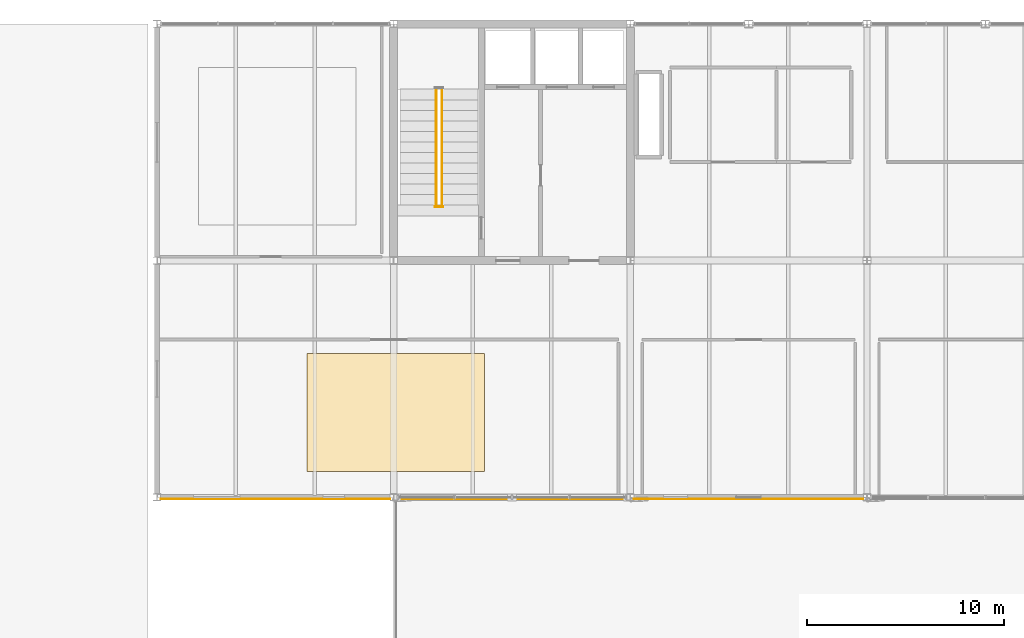
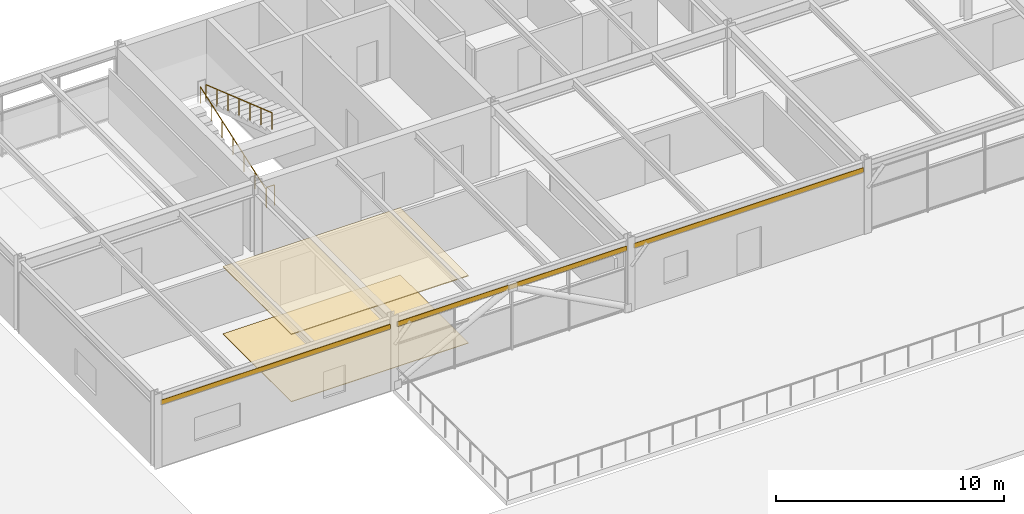
# One storey, part 27 of 30: 3 railings, 3 shading devices, 2 coverings.
"""IFC4 building model written with IfcOpenShell, lengths in metres."""

from ifc_helpers import new_model, si_unit, direction, frame, origin, origin_2d, place, context, subcontext, project, spatial, rectangle, circle, extrude, material, layer, layer_set, type_object, element, save


model = new_model("IFC4")

# Units and contexts
model_context = context("Model", 3, precision=1e-05, world=origin(), true_north=direction((0.0, 1.0)))
body_context = subcontext(model_context, "Body", "Model", "MODEL_VIEW")
ifc_project = project(units=[si_unit("LENGTHUNIT", "METRE"), si_unit("AREAUNIT", "SQUARE_METRE"), si_unit("VOLUMEUNIT", "CUBIC_METRE"), si_unit("PLANEANGLEUNIT", "RADIAN"), si_unit("MASSUNIT", "GRAM", prefix="KILO")], contexts=[model_context])

# Site, building, storey
site_placement = place(None, origin())
site = spatial("IfcSite", under=ifc_project, at=site_placement, CompositionType="ELEMENT")
building_placement = place(site_placement, origin())
building = spatial("IfcBuilding", under=site, at=building_placement, Name="Girod Span Mobility Hub", CompositionType="ELEMENT")
storey_placement = place(building_placement, frame((0.0, 0.0, 49.60009765625)))
storey = spatial("IfcBuildingStorey", under=building, at=storey_placement, Name="L12", CompositionType="ELEMENT", Elevation=49.60009765625)

# Coverings
ifc_material_1 = material(Name="Perforated Mineral-Fibre Acoustic Ceiling Tile", Category="mineral")
ifc_layer_1 = layer(ifc_material_1, 0.044921875)
ifc_layer_set_1 = layer_set([ifc_layer_1], Name="Perforated Mineral-Fibre Acoustic Ceiling Tile")
covering_type_1 = type_object("IfcCoveringType", Name="COV-CLG-900X600", PredefinedType="CEILING", material=ifc_layer_set_1)
covering_1_placement = place(storey_placement, frame((48.10009765625, 49.300048828125, 3.60498046875), z_axis=(0.0, 0.0, 1.0), x_axis=(1.0, 0.0, 0.0)))
element("IfcCovering", 1, at=covering_1_placement, inside=storey, type_object=covering_type_1, Name="Office Suite West L12 Acoustic Ceiling", PredefinedType="CEILING", context=body_context, shape_type="SweptSolid", body=[
    extrude(rectangle(XDim=9.0, YDim=6.0, at=origin_2d()), origin(), (0.0, 0.0, 1.0), 0.044921875),
])
ifc_material_2 = material(Name="Epoxy Terrazzo and Raised Access Flooring", Category="polymer")
ifc_layer_2 = layer(ifc_material_2, 0.030029296875)
ifc_layer_set_2 = layer_set([ifc_layer_2], Name="Epoxy Terrazzo and Raised Access Flooring")
covering_type_2 = type_object("IfcCoveringType", Name="COV-FLR-900X600", PredefinedType="FLOORING", material=ifc_layer_set_2)
covering_2_placement = place(storey_placement, frame((48.10009765625, 49.300048828125, 0.0), z_axis=(0.0, 0.0, 1.0), x_axis=(1.0, 0.0, 0.0)))
element("IfcCovering", 2, at=covering_2_placement, inside=storey, type_object=covering_type_2, Name="Office Suite West L12 Floor Finish", PredefinedType="FLOORING", context=body_context, shape_type="SweptSolid", body=[
    extrude(rectangle(XDim=9.0, YDim=6.0, at=origin_2d()), origin(), (0.0, 0.0, 1.0), 0.030029296875),
])

# Railings
ifc_material_3 = material(Name="Painted Galvanised Steel", Category="steel")
ifc_layer_3 = layer(ifc_material_3, 0.06494140625)
ifc_layer_set_3 = layer_set([ifc_layer_3], Name="Painted Galvanised Steel")
railing_type_1 = type_object("IfcRailingType", Name="RL-GRD-1120", PredefinedType="GUARDRAIL", material=ifc_layer_set_3)
railing_1_placement = place(storey_placement, frame((50.10009765625, 59.72998046875, 0.0)))
element("IfcRailing", 3, at=railing_1_placement, inside=storey, type_object=railing_type_1, Name="Stair ST-1 Landing Well Guard L12", PredefinedType="GUARDRAIL", context=body_context, shape_type="SweptSolid", body=[
    extrude(circle(Radius=0.02392578125, at=origin_2d()), frame((0.0, 0.0, 1.09619140625), z_axis=(1.0, 0.0, 0.0), x_axis=(0.0, 1.0, 0.0)), (0.0, 0.0, 1.0), 0.39990234375),
    extrude(circle(Radius=0.02099609375, at=origin_2d()), origin(), (0.0, 0.0, 1.0), 1.072021484375),
    extrude(circle(Radius=0.02099609375, at=origin_2d()), frame((0.39990234375, 0.0, 0.0)), (0.0, 0.0, 1.0), 1.072021484375),
])
ifc_material_4 = material(Name="Painted Galvanised Steel", Category="steel")
ifc_layer_4 = layer(ifc_material_4, 0.050048828125)
ifc_layer_set_4 = layer_set([ifc_layer_4], Name="Painted Galvanised Steel")
railing_type_2 = type_object("IfcRailingType", Name="RL-HR-920", PredefinedType="HANDRAIL", material=ifc_layer_set_4)
railing_2_placement = place(storey_placement, frame((50.14990234375, 59.860107421875, 0.0)))
element("IfcRailing", 4, at=railing_2_placement, inside=storey, type_object=railing_type_2, Name="Stair ST-1 Flight 1 Handrail L12", PredefinedType="HANDRAIL", context=body_context, shape_type="SweptSolid", body=[
    extrude(circle(Radius=0.02392578125, at=origin_2d()), frame((0.0, 0.0, 0.89599609375), z_axis=(0.0, 0.945021187488, 0.327009105681), x_axis=(-1.0, 0.0, 0.0)), (0.0, 0.0, 1.0), 6.115966796875),
    extrude(circle(Radius=0.02099609375, at=origin_2d()), origin(), (0.0, 0.0, 1.0), 0.871826171875),
    extrude(circle(Radius=0.02099609375, at=origin_2d()), frame((0.0, 0.96337890625, 0.333251953125)), (0.0, 0.0, 1.0), 0.871826171875),
    extrude(circle(Radius=0.02099609375, at=origin_2d()), frame((0.0, 1.926513671875, 0.666748046875)), (0.0, 0.0, 1.0), 0.871826171875),
    extrude(circle(Radius=0.02099609375, at=origin_2d()), frame((0.0, 2.889892578125, 1.0)), (0.0, 0.0, 1.0), 0.871826171875),
    extrude(circle(Radius=0.02099609375, at=origin_2d()), frame((0.0, 3.853271484375, 1.333251953125)), (0.0, 0.0, 1.0), 0.871826171875),
    extrude(circle(Radius=0.02099609375, at=origin_2d()), frame((0.0, 4.81640625, 1.666748046875)), (0.0, 0.0, 1.0), 0.871826171875),
    extrude(circle(Radius=0.02099609375, at=origin_2d()), frame((0.0, 5.77978515625, 2.0)), (0.0, 0.0, 1.0), 0.871826171875),
])
railing_3_placement = place(storey_placement, frame((50.449951171875, 65.639892578125, 2.0)))
element("IfcRailing", 5, at=railing_3_placement, inside=storey, type_object=railing_type_2, Name="Stair ST-1 Flight 2 Handrail L12", PredefinedType="HANDRAIL", context=body_context, shape_type="SweptSolid", body=[
    extrude(circle(Radius=0.02392578125, at=origin_2d()), frame((0.0, 0.0, 0.89599609375), z_axis=(0.0, -0.945021187488, 0.327009105681), x_axis=(1.0, 0.0, 0.0)), (0.0, 0.0, 1.0), 6.115966796875),
    extrude(circle(Radius=0.02099609375, at=origin_2d()), origin(), (0.0, 0.0, 1.0), 0.871826171875),
    extrude(circle(Radius=0.02099609375, at=origin_2d()), frame((0.0, -0.96337890625, 0.333251953125)), (0.0, 0.0, 1.0), 0.871826171875),
    extrude(circle(Radius=0.02099609375, at=origin_2d()), frame((0.0, -1.926513671875, 0.666748046875)), (0.0, 0.0, 1.0), 0.871826171875),
    extrude(circle(Radius=0.02099609375, at=origin_2d()), frame((0.0, -2.889892578125, 1.0)), (0.0, 0.0, 1.0), 0.871826171875),
    extrude(circle(Radius=0.02099609375, at=origin_2d()), frame((0.0, -3.853271484375, 1.333251953125)), (0.0, 0.0, 1.0), 0.871826171875),
    extrude(circle(Radius=0.02099609375, at=origin_2d()), frame((0.0, -4.81640625, 1.666748046875)), (0.0, 0.0, 1.0), 0.871826171875),
    extrude(circle(Radius=0.02099609375, at=origin_2d()), frame((0.0, -5.77978515625, 2.0)), (0.0, 0.0, 1.0), 0.871826171875),
])

# Shading devices
ifc_material_5 = material(Name="Aluminium 6063-T6", Category="aluminium")
ifc_layer_5 = layer(ifc_material_5, 0.030029296875)
ifc_layer_set_5 = layer_set([ifc_layer_5], Name="Aluminium 6063-T6")
shading_device_type = type_object("IfcShadingDeviceType", Name="SHD-SHT-11635X260X30", PredefinedType="SHUTTER", material=ifc_layer_set_5)
for number, where, z_axis, x_axis, name in (
    (6, (42.0, 44.919921875, 3.28076171875), (0.0, 0.0, 1.0), (1.0, 0.0, 0.0), "External Solar Shading Blade 4 L12"),
    (7, (54.0, 44.919921875, 3.28076171875), (0.0, 0.0, 1.0), (1.0, 0.0, 0.0), "External Solar Shading Blade 5 L12"),
    (8, (66.0, 44.919921875, 3.28076171875), (0.0, 0.0, 1.0), (1.0, 0.0, 0.0), "External Solar Shading Blade 6 L12"),
):
    element("IfcShadingDevice", number, at=place(storey_placement, frame(where, z_axis=z_axis, x_axis=x_axis)), inside=storey, type_object=shading_device_type, Name=name, PredefinedType="SHUTTER", context=body_context, shape_type="SweptSolid", body=[
        extrude(rectangle(XDim=11.635009765625, YDim=0.030029296875, at=origin_2d()), origin(), (0.0, 0.0, 1.0), 0.260009765625),
    ])

save(model, "model.ifc")
